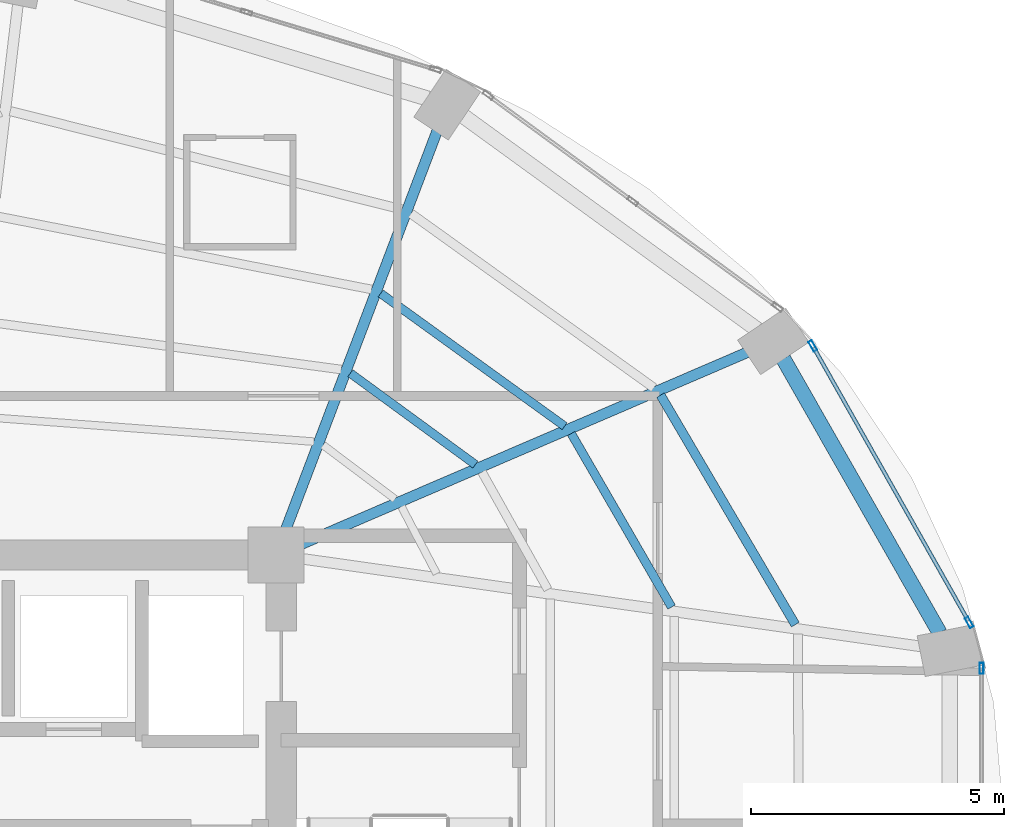
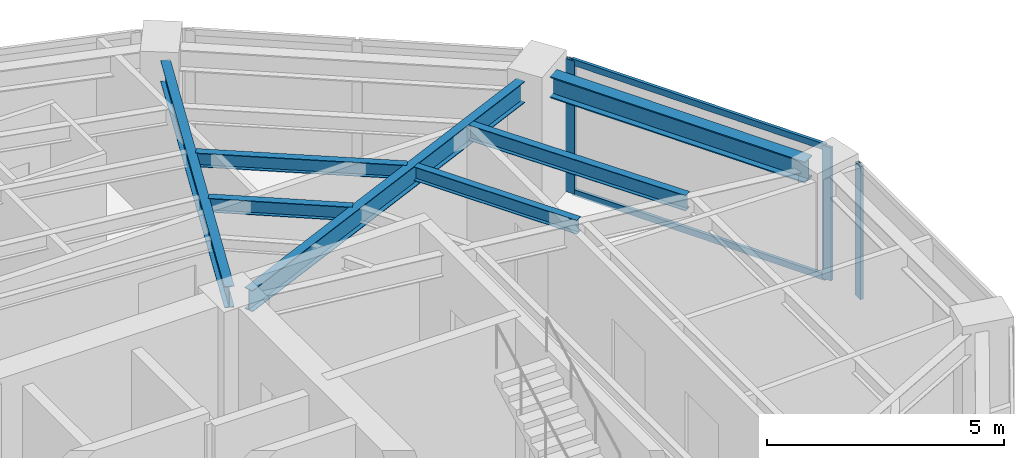
# One storey, part 11 of 20: 7 beams, 5 members, 2 elements without a shape of their own.
"""IFC4 building model written with IfcOpenShell, lengths in metres."""

from ifc_helpers import new_model, si_unit, direction, frame, origin, origin_2d, place, context, subcontext, project, spatial, hollow_rectangle, i_section, extrude, material, layer, layer_set, material_profile, profile_set, type_object, element, aggregate, save


model = new_model("IFC4")

# Units and contexts
model_context = context("Model", 3, precision=1e-05, world=origin(), true_north=direction((0.0, 1.0)))
body_context = subcontext(model_context, "Body", "Model", "MODEL_VIEW")
ifc_project = project(units=[si_unit("LENGTHUNIT", "METRE"), si_unit("AREAUNIT", "SQUARE_METRE"), si_unit("VOLUMEUNIT", "CUBIC_METRE"), si_unit("PLANEANGLEUNIT", "RADIAN"), si_unit("MASSUNIT", "GRAM", prefix="KILO")], contexts=[model_context])

# Site, building, storey
site_placement = place(None, origin())
site = spatial("IfcSite", under=ifc_project, at=site_placement, CompositionType="ELEMENT")
building_placement = place(site_placement, origin())
building = spatial("IfcBuilding", under=site, at=building_placement, Name="Lazwardi Medical Tower", CompositionType="ELEMENT")
storey_placement = place(building_placement, frame((0.0, 0.0, 145.583984375)))
storey = spatial("IfcBuildingStorey", under=building, at=storey_placement, Name="L37", CompositionType="ELEMENT", Elevation=145.583984375)

# Beams
ifc_material_1 = material(Name="Steel S355", Category="steel")
ifc_material_profile_1 = material_profile(ifc_material_1, i_section(OverallWidth=0.300048828125, OverallDepth=0.550048828125, WebThickness=0.014892578125, FlangeThickness=0.029052734375, at=origin_2d()), Name="HEB 550")
ifc_profile_set_1 = profile_set([ifc_material_profile_1], Name="Steel S355")
beam_type_1 = type_object("IfcBeamType", Name="BM-RB-Z3", PredefinedType="BEAM", material=ifc_profile_set_1)
beam_1_placement = place(storey_placement, frame((58.727783203125, 34.05908203125, 3.153076171875), z_axis=(-0.495460926326, 0.868630226554, 0.0), x_axis=(-0.868630226554, -0.495460926326, 0.0)))
element("IfcBeam", 1, at=beam_1_placement, inside=storey, type_object=beam_type_1, Name="Ring beam RB-04 B05 L37", PredefinedType="BEAM", context=body_context, shape_type="SweptSolid", body=[
    extrude(i_section(OverallWidth=0.300048828125, OverallDepth=0.550048828125, WebThickness=0.014892578125, FlangeThickness=0.029052734375, at=origin_2d()), origin(), (0.0, 0.0, 1.0), 6.24462890625),
])
ifc_material_profile_2 = material_profile(ifc_material_1, i_section(OverallWidth=0.2099609375, OverallDepth=0.550048828125, WebThickness=0.010986328125, FlangeThickness=0.01708984375, at=origin_2d()), Name="IPE 550")
ifc_profile_set_2 = profile_set([ifc_material_profile_2], Name="Steel S355")
beam_type_2 = type_object("IfcBeamType", Name="BM-RG-W2", PredefinedType="BEAM", material=ifc_profile_set_2)
beam_2_placement = place(storey_placement, frame((54.921142578125, 39.609619140625, 3.153076171875), z_axis=(-0.918608156288, -0.395169653695, 0.0), x_axis=(0.395169653695, -0.918608156288, 0.0)))
element("IfcBeam", 2, at=beam_2_placement, inside=storey, type_object=beam_type_2, Name="Radial girder RG-03 R06 L37", PredefinedType="BEAM", context=body_context, shape_type="SweptSolid", body=[
    extrude(i_section(OverallWidth=0.2099609375, OverallDepth=0.550048828125, WebThickness=0.010986328125, FlangeThickness=0.01708984375, at=origin_2d()), origin(), (0.0, 0.0, 1.0), 9.61181640625),
])
beam_3_placement = place(storey_placement, frame((48.78759765625, 43.99072265625, 3.153076171875), z_axis=(-0.355126771712, -0.934818151307, 0.0), x_axis=(0.934818151307, -0.355126771712, 0.0)))
element("IfcBeam", 3, at=beam_3_placement, inside=storey, type_object=beam_type_2, Name="Radial girder RG-03 R07 L37", PredefinedType="BEAM", context=body_context, shape_type="SweptSolid", body=[
    extrude(i_section(OverallWidth=0.2099609375, OverallDepth=0.550048828125, WebThickness=0.010986328125, FlangeThickness=0.01708984375, at=origin_2d()), origin(), (0.0, 0.0, 1.0), 8.44091796875),
])
ifc_material_profile_3 = material_profile(ifc_material_1, i_section(OverallWidth=0.179931640625, OverallDepth=0.39990234375, WebThickness=0.008544921875, FlangeThickness=0.013427734375, at=origin_2d()), Name="IPE 400")
ifc_profile_set_3 = profile_set([ifc_material_profile_3], Name="Steel S355")
beam_type_3 = type_object("IfcBeamType", Name="BM-SJ-01", PredefinedType="JOIST", material=ifc_profile_set_3)
beam_4_placement = place(storey_placement, frame((55.872314453125, 34.223388671875, 3.22802734375), z_axis=(-0.506420212881, 0.862286824662, 0.0), x_axis=(-0.862286824662, -0.506420212881, 0.0)))
element("IfcBeam", 4, at=beam_4_placement, inside=storey, type_object=beam_type_3, Name="Secondary joist SJ-01 R1 B05 L37", PredefinedType="JOIST", context=body_context, shape_type="SweptSolid", body=[
    extrude(i_section(OverallWidth=0.179931640625, OverallDepth=0.39990234375, WebThickness=0.008544921875, FlangeThickness=0.013427734375, at=origin_2d()), origin(), (0.0, 0.0, 1.0), 5.265380859375),
])
ifc_material_profile_4 = material_profile(ifc_material_1, i_section(OverallWidth=0.169921875, OverallDepth=0.360107421875, WebThickness=0.008056640625, FlangeThickness=0.0126953125, at=origin_2d()), Name="IPE 360")
ifc_profile_set_4 = profile_set([ifc_material_profile_4], Name="Steel S355")
beam_type_4 = type_object("IfcBeamType", Name="BM-SJ-02", PredefinedType="JOIST", material=ifc_profile_set_4)
beam_5_placement = place(storey_placement, frame((53.4248046875, 34.57080078125, 3.248046875), z_axis=(-0.500640648605, 0.865655209055, 0.0), x_axis=(-0.865655209055, -0.500640648605, 0.0)))
element("IfcBeam", 5, at=beam_5_placement, inside=storey, type_object=beam_type_4, Name="Secondary joist SJ-02 R2 B05 L37", PredefinedType="JOIST", context=body_context, shape_type="SweptSolid", body=[
    extrude(i_section(OverallWidth=0.169921875, OverallDepth=0.360107421875, WebThickness=0.008056640625, FlangeThickness=0.0126953125, at=origin_2d()), origin(), (0.0, 0.0, 1.0), 3.965576171875),
])
beam_6_placement = place(storey_placement, frame((51.30810546875, 38.148681640625, 3.248046875), z_axis=(-0.810738039179, 0.585409114917, 0.0), x_axis=(-0.585409114917, -0.810738039179, 0.0)))
element("IfcBeam", 6, at=beam_6_placement, inside=storey, type_object=beam_type_4, Name="Secondary joist SJ-02 R2 B06 L37", PredefinedType="JOIST", context=body_context, shape_type="SweptSolid", body=[
    extrude(i_section(OverallWidth=0.169921875, OverallDepth=0.360107421875, WebThickness=0.008056640625, FlangeThickness=0.0126953125, at=origin_2d()), origin(), (0.0, 0.0, 1.0), 4.48779296875),
])
beam_7_placement = place(storey_placement, frame((49.54248046875, 37.3896484375, 3.248046875), z_axis=(-0.807285959008, 0.590160470033, 0.0), x_axis=(-0.590160470033, -0.807285959008, 0.0)))
element("IfcBeam", 7, at=beam_7_placement, inside=storey, type_object=beam_type_4, Name="Secondary joist SJ-02 R3 B06 L37", PredefinedType="JOIST", context=body_context, shape_type="SweptSolid", body=[
    extrude(i_section(OverallWidth=0.169921875, OverallDepth=0.360107421875, WebThickness=0.008056640625, FlangeThickness=0.0126953125, at=origin_2d()), origin(), (0.0, 0.0, 1.0), 3.06298828125),
])

# Curtain wall, member
ifc_material_2 = material(Name="Anodised bronze aluminium and solar control glazing", Category="aluminium")
ifc_layer = layer(ifc_material_2, 0.195068359375)
ifc_layer_set = layer_set([ifc_layer], Name="Anodised bronze aluminium and solar control glazing")
curtain_wall_type = type_object("IfcCurtainWallType", Name="CW-SYS-03", PredefinedType="NOTDEFINED", material=ifc_layer_set)
curtain_wall_1_placement = place(storey_placement, origin())
curtain_wall_1 = element("IfcCurtainWall", 8, at=curtain_wall_1_placement, inside=storey, type_object=curtain_wall_type, Name="L37 Unitised bronze curtain wall CW-03", PredefinedType="NOTDEFINED")
ifc_material_3 = material(Name="Anodised bronze aluminium", Category="aluminium")
ifc_material_profile_5 = material_profile(ifc_material_3, hollow_rectangle(XDim=0.074951171875, YDim=0.219970703125, WallThickness=0.00390625, at=origin_2d()), Name="ALU-MULLION 220x75x4")
ifc_profile_set_5 = profile_set([ifc_material_profile_5], Name="Anodised bronze aluminium")
member_type_1 = type_object("IfcMemberType", Name="CW-MUL-01", PredefinedType="MULLION", material=ifc_profile_set_5)
member_1_placement = place(storey_placement, frame((59.5576171875, 33.35791015625, 0.0), z_axis=(0.0, 0.0, 1.0), x_axis=(-1.0, 0.0, 0.0)))
member_1 = element("IfcMember", 9, at=member_1_placement, type_object=member_type_1, Name="CW-03 mullion 2", PredefinedType="MULLION", context=body_context, shape_type="SweptSolid", body=[
    extrude(hollow_rectangle(XDim=0.074951171875, YDim=0.219970703125, WallThickness=0.00390625, at=origin_2d()), origin(), (0.0, 0.0, 1.0), 3.427978515625),
])
aggregate(curtain_wall_1, [member_1])

# Curtain wall, members
curtain_wall_2_placement = place(storey_placement, origin())
curtain_wall_2 = element("IfcCurtainWall", 10, at=curtain_wall_2_placement, inside=storey, type_object=curtain_wall_type, Name="L37 Unitised bronze curtain wall CW-03", PredefinedType="NOTDEFINED")
member_2_placement = place(storey_placement, frame((59.31103515625, 34.267333984375, 0.0), z_axis=(0.0, 0.0, 1.0), x_axis=(-0.870418989303, -0.492311672683, 0.0)))
member_2 = element("IfcMember", 11, at=member_2_placement, type_object=member_type_1, Name="CW-03 mullion 1", PredefinedType="MULLION", context=body_context, shape_type="SweptSolid", body=[
    extrude(hollow_rectangle(XDim=0.074951171875, YDim=0.219970703125, WallThickness=0.00390625, at=origin_2d()), origin(), (0.0, 0.0, 1.0), 3.427978515625),
])
member_3_placement = place(storey_placement, frame((56.217529296875, 39.73681640625, 0.0), z_axis=(0.0, 0.0, 1.0), x_axis=(-0.870418989303, -0.492311672683, 0.0)))
member_3 = element("IfcMember", 12, at=member_3_placement, type_object=member_type_1, Name="CW-03 mullion 2", PredefinedType="MULLION", context=body_context, shape_type="SweptSolid", body=[
    extrude(hollow_rectangle(XDim=0.074951171875, YDim=0.219970703125, WallThickness=0.00390625, at=origin_2d()), origin(), (0.0, 0.0, 1.0), 3.427978515625),
])
ifc_material_profile_6 = material_profile(ifc_material_3, hollow_rectangle(XDim=0.074951171875, YDim=0.159912109375, WallThickness=0.00390625, at=origin_2d()), Name="ALU-TRANSOM 160x75x4")
ifc_profile_set_6 = profile_set([ifc_material_profile_6], Name="Anodised bronze aluminium")
member_type_2 = type_object("IfcMemberType", Name="CW-TRN-01", PredefinedType="USERDEFINED", material=ifc_profile_set_6)
member_4_placement = place(storey_placement, frame((59.292724609375, 34.2998046875, 0.03759765625), z_axis=(-0.492306010269, 0.870422191958, 0.0), x_axis=(-0.870422191958, -0.492306010269, 0.0)))
member_4 = element("IfcMember", 13, at=member_4_placement, type_object=member_type_2, Name="CW-03 transom 1.1", ObjectType="TRANSOM", PredefinedType="USERDEFINED", context=body_context, shape_type="SweptSolid", body=[
    extrude(hollow_rectangle(XDim=0.074951171875, YDim=0.159912109375, WallThickness=0.00390625, at=origin_2d()), origin(), (0.0, 0.0, 1.0), 6.208740234375),
])
member_5_placement = place(storey_placement, frame((59.292724609375, 34.2998046875, 3.390625), z_axis=(-0.492306010269, 0.870422191958, 0.0), x_axis=(-0.870422191958, -0.492306010269, 0.0)))
member_5 = element("IfcMember", 14, at=member_5_placement, type_object=member_type_2, Name="CW-03 transom 1.2", ObjectType="TRANSOM", PredefinedType="USERDEFINED", context=body_context, shape_type="SweptSolid", body=[
    extrude(hollow_rectangle(XDim=0.074951171875, YDim=0.159912109375, WallThickness=0.00390625, at=origin_2d()), origin(), (0.0, 0.0, 1.0), 6.208740234375),
])
aggregate(curtain_wall_2, [member_2, member_3, member_4, member_5])

save(model, "model.ifc")
